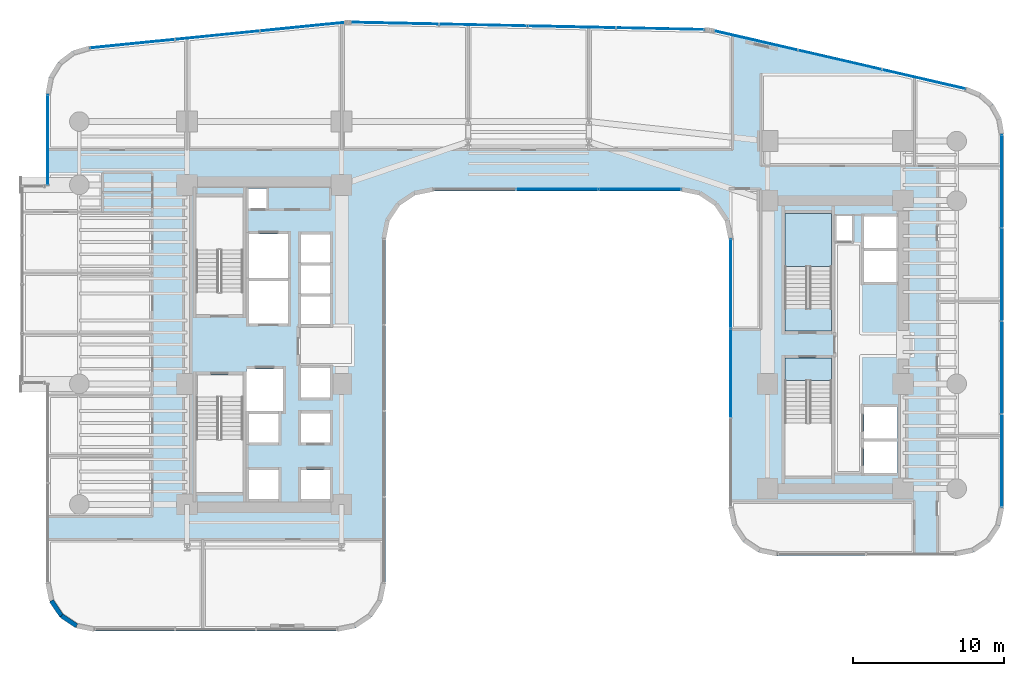
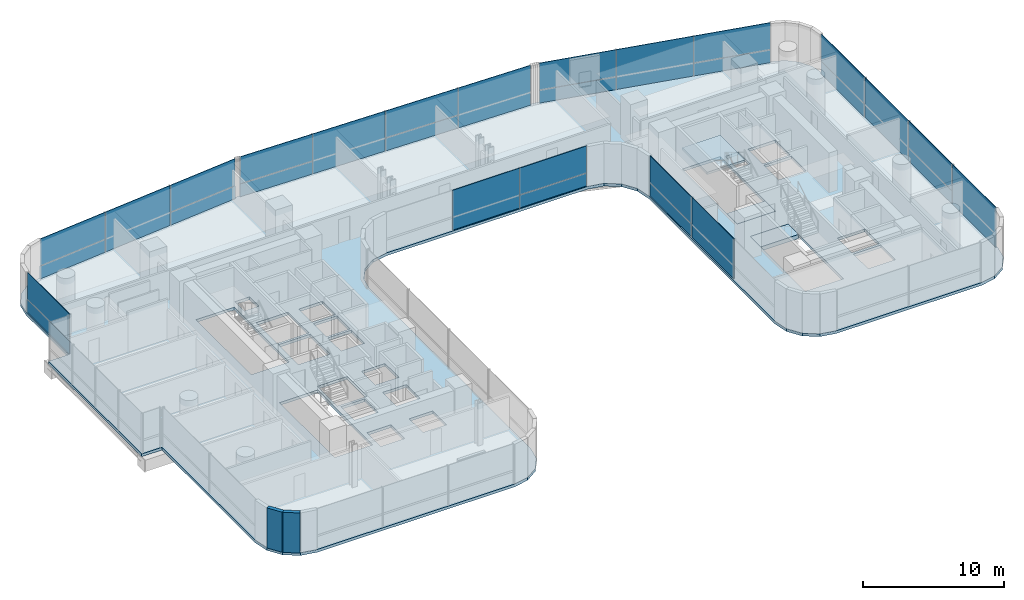
# One storey, part 28 of 38: 30 plates, 4 slabs, 2 walls, 8 elements without a shape of their own.
"""IFC4 building model written with IfcOpenShell, lengths in metres."""

from ifc_helpers import new_model, si_unit, direction, frame, frame_2d, origin, origin_2d, place, context, subcontext, project, spatial, polyline, rectangle, outline, extrude, source, transform, mapped, material, layer, layer_set, type_object, element, aggregate, save


model = new_model("IFC4")

# Units and contexts
model_context = context("Model", 3, precision=1e-05, world=origin(), true_north=direction((0.0, 1.0)))
body_context = subcontext(model_context, "Body", "Model", "MODEL_VIEW")
ifc_project = project(units=[si_unit("LENGTHUNIT", "METRE"), si_unit("AREAUNIT", "SQUARE_METRE"), si_unit("VOLUMEUNIT", "CUBIC_METRE"), si_unit("PLANEANGLEUNIT", "RADIAN"), si_unit("MASSUNIT", "GRAM", prefix="KILO")], contexts=[model_context])

# Site, building, storey
site_placement = place(None, origin())
site = spatial("IfcSite", under=ifc_project, at=site_placement, CompositionType="ELEMENT")
building_placement = place(site_placement, origin())
building = spatial("IfcBuilding", under=site, at=building_placement, Name="Valdorenza Pilgrim Sanctuary Tower", CompositionType="ELEMENT")
storey_placement = place(building_placement, frame((0.0, 0.0, 37.10009765625)))
storey = spatial("IfcBuildingStorey", under=building, at=storey_placement, Name="L08", CompositionType="ELEMENT", Elevation=37.10009765625)

# Slab
ifc_material_1 = material(Name="Concrete C40/50", Category="concrete")
ifc_layer_1 = layer(ifc_material_1, 0.239990234375, Name="Concrete C40/50")
ifc_layer_set_1 = layer_set([ifc_layer_1], Name="Concrete C40/50")
slab_type_1 = type_object("IfcSlabType", Name="SLAB-FLR-220", PredefinedType="FLOOR", material=ifc_layer_set_1)
slab_1_placement = place(storey_placement, frame((0.0, 0.0, -0.239990234375)))
element("IfcSlab", 1, at=slab_1_placement, inside=storey, type_object=slab_type_1, Name="L08 Structural Floor Slab 1", PredefinedType="FLOOR", context=body_context, shape_type="SweptSolid", body=[
    extrude(outline(polyline([(-31.785888671875, 17.754638671875), (-31.172607421875, 18.751220703125), (-30.241943359375, 19.460693359375), (-29.118408203125, 19.7880859375), (-12.192138671875, 21.480712890625), (-11.999755859375, 21.494140625), (-11.9033203125, 21.49658203125), (11.66943359375, 21.0068359375), (11.833984375, 20.999267578125), (11.997802734375, 20.983154296875), (12.160888671875, 20.95849609375), (12.322265625, 20.925537109375), (29.01953125, 17.072509765625), (30.00732421875, 16.660888671875), (30.80419921875, 15.946533203125), (31.321044921875, 15.009521484375), (31.5, 13.954345703125), (31.5, -10.800048828125), (31.25634765625, -12.024658203125), (30.562744140625, -13.062744140625), (29.524658203125, -13.75634765625), (28.300048828125, -14.0), (16.5, -14.0), (15.275390625, -13.75634765625), (14.2373046875, -13.062744140625), (13.543701171875, -12.024658203125), (13.300048828125, -10.800048828125), (13.300048828125, 7.0), (13.056396484375, 8.224609375), (12.36279296875, 9.2626953125), (11.32470703125, 9.956298828125), (10.10009765625, 10.199951171875), (-6.300048828125, 10.199951171875), (-7.524658203125, 9.956298828125), (-8.562744140625, 9.2626953125), (-9.25634765625, 8.224609375), (-9.5, 7.0), (-9.5, -15.800048828125), (-9.74365234375, -17.024658203125), (-10.437255859375, -18.062744140625), (-11.475341796875, -18.75634765625), (-12.699951171875, -19.0), (-28.800048828125, -19.0), (-30.024658203125, -18.75634765625), (-31.062744140625, -18.062744140625), (-31.75634765625, -17.024658203125), (-32.0, -15.800048828125), (-32.0, -2.60009765625), (-33.64990234375, -2.60009765625), (-33.64990234375, 10.60009765625), (-32.0, 10.60009765625), (-32.0, 16.60400390625), (-31.785888671875, 17.754638671875)]), holes=[polyline([(-16.60009765625, -10.25), (-16.60009765625, -8.300048828125), (-18.550048828125, -8.300048828125), (-18.550048828125, -10.25), (-16.60009765625, -10.25)]), polyline([(-22.050048828125, -9.800048828125), (-18.93994140625, -9.800048828125), (-18.93994140625, -3.485107421875), (-18.93994140625, -2.0), (-22.050048828125, -2.0), (-22.050048828125, -3.485107421875), (-22.050048828125, -9.800048828125)]), polyline([(-18.550048828125, -6.5), (-16.60009765625, -6.5), (-16.60009765625, -4.60009765625), (-18.550048828125, -4.60009765625), (-18.550048828125, -6.5)]), polyline([(-13.179931640625, -6.5), (-13.179931640625, -4.550048828125), (-15.10009765625, -4.550048828125), (-15.10009765625, -6.5), (-13.179931640625, -6.5)]), polyline([(-18.719970703125, -4.39990234375), (-16.300048828125, -4.39990234375), (-16.300048828125, -1.60009765625), (-18.719970703125, -1.60009765625), (-18.719970703125, -4.39990234375)]), polyline([(-13.179931640625, -3.5), (-13.179931640625, -1.550048828125), (-15.10009765625, -1.550048828125), (-15.10009765625, -3.5), (-13.179931640625, -3.5)]), polyline([(-22.050048828125, 2.0), (-18.93994140625, 2.0), (-18.93994140625, 3.485107421875), (-18.93994140625, 9.800048828125), (-22.050048828125, 9.800048828125), (-22.050048828125, 3.485107421875), (-22.050048828125, 2.0)]), polyline([(-18.550048828125, 1.39990234375), (-15.949951171875, 1.39990234375), (-15.949951171875, 4.22509765625), (-18.550048828125, 4.22509765625), (-18.550048828125, 1.39990234375)]), polyline([(-15.949951171875, 4.425048828125), (-15.949951171875, 7.35009765625), (-18.550048828125, 7.35009765625), (-18.550048828125, 4.425048828125), (-15.949951171875, 4.425048828125)]), polyline([(-15.10009765625, 5.449951171875), (-13.179931640625, 5.449951171875), (-13.179931640625, 7.300048828125), (-15.10009765625, 7.300048828125), (-15.10009765625, 5.449951171875)]), polyline([(-17.360107421875, 9.030029296875), (-17.360107421875, 10.35009765625), (-18.570068359375, 10.35009765625), (-18.570068359375, 9.030029296875), (-17.360107421875, 9.030029296875)]), polyline([(-15.10009765625, -10.25), (-13.179931640625, -10.25), (-13.179931640625, -8.300048828125), (-15.10009765625, -8.300048828125), (-15.10009765625, -10.25)]), polyline([(22.25, -8.5), (24.47998046875, -8.5), (24.47998046875, -6.425048828125), (22.25, -6.425048828125), (22.25, -8.5)]), polyline([(17.0, -2.385009765625), (17.0, -8.699951171875), (20.110107421875, -8.699951171875), (20.110107421875, -2.385009765625), (20.110107421875, -0.89990234375), (17.0, -0.89990234375), (17.0, -2.385009765625)]), polyline([(22.25, -6.22509765625), (24.47998046875, -6.22509765625), (24.47998046875, -4.14990234375), (22.25, -4.14990234375), (22.25, -6.22509765625)]), polyline([(17.0, 0.89990234375), (20.110107421875, 0.89990234375), (20.110107421875, 2.385009765625), (20.110107421875, 8.699951171875), (17.0, 8.699951171875), (17.0, 2.385009765625), (17.0, 0.89990234375)]), polyline([(-15.10009765625, 1.35009765625), (-13.179931640625, 1.35009765625), (-13.179931640625, 3.199951171875), (-15.10009765625, 3.199951171875), (-15.10009765625, 1.35009765625)]), polyline([(-15.10009765625, 3.39990234375), (-13.179931640625, 3.39990234375), (-13.179931640625, 5.25), (-15.10009765625, 5.25), (-15.10009765625, 3.39990234375)]), polyline([(22.25, 4.14990234375), (24.47998046875, 4.14990234375), (24.47998046875, 6.22509765625), (22.25, 6.22509765625), (22.25, 4.14990234375)]), polyline([(22.25, 6.425048828125), (24.47998046875, 6.425048828125), (24.47998046875, 8.5), (22.25, 8.5), (22.25, 6.425048828125)]), polyline([(20.409912109375, 6.860107421875), (21.489990234375, 6.860107421875), (21.489990234375, 8.52001953125), (20.409912109375, 8.52001953125), (20.409912109375, 6.860107421875)])]), origin(), (0.0, 0.0, 1.0), 0.239990234375),
])

# Stair, slab
stair_type = type_object("IfcStairType", Name="STR-DOG-CORE", PredefinedType="HALF_TURN_STAIR", material=ifc_material_1)
stair_placement = place(storey_placement, origin())
stair = element("IfcStair", 2, at=stair_placement, inside=storey, type_object=stair_type, Name="L08 ST-B1", PredefinedType="HALF_TURN_STAIR")
ifc_layer_2 = layer(ifc_material_1, 0.199951171875, Name="Concrete C40/50")
ifc_layer_set_2 = layer_set([ifc_layer_2], Name="Concrete C40/50")
slab_type_2 = type_object("IfcSlabType", Name="SLAB-STL-200", PredefinedType="LANDING", material=ifc_layer_set_2)
slab_2_placement = place(storey_placement, frame((0.0, 0.0, 1.64990234375)))
slab_2 = element("IfcSlab", 3, at=slab_2_placement, type_object=slab_type_2, Name="ST-B1 landing 1", PredefinedType="LANDING", context=body_context, shape_type="SweptSolid", body=[
    extrude(outline(polyline([(20.110107421875, 5.179931640625), (20.110107421875, 8.699951171875), (17.0, 8.699951171875), (17.0, 5.179931640625), (20.110107421875, 5.179931640625)])), origin(), (0.0, 0.0, 1.0), 0.199951171875),
])
aggregate(stair, [slab_2])

# Slabs
ifc_material_2 = material(Name="Concrete C50/60", Category="concrete")
ifc_layer_3 = layer(ifc_material_2, 0.39990234375, Name="Concrete C50/60")
ifc_layer_set_3 = layer_set([ifc_layer_3], Name="Concrete C50/60")
slab_type_3 = type_object("IfcSlabType", Name="SLAB-TRF-400", PredefinedType="FLOOR", material=ifc_layer_set_3)
slab_3_placement = place(storey_placement, frame((0.0, 0.0, -0.360107421875)))
element("IfcSlab", 4, at=slab_3_placement, inside=storey, type_object=slab_type_3, Name="L08 ST-B1 Structural Stair Landing Bearing Slab", PredefinedType="FLOOR", context=body_context, shape_type="SweptSolid", body=[
    extrude(outline(polyline([(17.0, 0.89990234375), (20.110107421875, 0.89990234375), (20.110107421875, 2.385009765625), (17.0, 2.385009765625), (17.0, 0.89990234375)])), origin(), (0.0, 0.0, 1.0), 0.360107421875),
])
slab_4_placement = place(storey_placement, frame((0.0, 0.0, -0.360107421875)))
element("IfcSlab", 5, at=slab_4_placement, inside=storey, type_object=slab_type_3, Name="L08 ST-B2 Structural Stair Landing Bearing Slab", PredefinedType="FLOOR", context=body_context, shape_type="SweptSolid", body=[
    extrude(outline(polyline([(17.0, -2.385009765625), (20.110107421875, -2.385009765625), (20.110107421875, -0.89990234375), (17.0, -0.89990234375), (17.0, -2.385009765625)])), origin(), (0.0, 0.0, 1.0), 0.360107421875),
])

# Curtain wall, plates
ifc_material_3 = material(Name="Curtain-wall IGU glazing", Category="glass")
curtain_wall_type_1 = type_object("IfcCurtainWallType", Name="CW-SYS-02", PredefinedType="NOTDEFINED", material=ifc_material_3)
curtain_wall_1_placement = place(storey_placement, origin())
curtain_wall_1 = element("IfcCurtainWall", 6, at=curtain_wall_1_placement, inside=storey, type_object=curtain_wall_type_1, Name="L08 Curtain Wall CW-L08-1-6", PredefinedType="NOTDEFINED")
ifc_material_4 = material(Name="Honed travertine limestone", Category="masonry")
ifc_layer_4 = layer(ifc_material_4, 0.050048828125, Name="Honed travertine limestone")
ifc_layer_set_4 = layer_set([ifc_layer_4], Name="Honed travertine limestone")
plate_type_1 = type_object("IfcPlateType", Name="CW-SPN-TRV", PredefinedType="USERDEFINED", material=ifc_layer_set_4)
shared_shape_1 = source(origin(), body_context, "Body", "SweptSolid", [
    extrude(rectangle(XDim=5.646484375, YDim=0.06005859375, at=origin_2d()), origin(), (0.0, 0.0, 1.0), 1.10009765625),
])
plate_1_placement = place(storey_placement, frame((-26.2783203125, 19.961669921875, 0.009765625), z_axis=(0.0, 0.0, 1.0), x_axis=(0.995038220239, 0.099493418189, 0.0)))
plate_1 = element("IfcPlate", 7, at=plate_1_placement, type_object=plate_type_1, Name="CW-L08-1-6 Travertine Spandrel 1", ObjectType="SPANDREL", PredefinedType="USERDEFINED", context=body_context, shape_type="MappedRepresentation", body=[
    mapped(shared_shape_1, transform((0.0, 0.0, 0.0), x_axis=(1.0, 0.0, 0.0), y_axis=(0.0, 1.0, 0.0), z_axis=(0.0, 0.0, 1.0), scale=1.0)),
])
plate_2_placement = place(storey_placement, frame((-15.001220703125, 21.08935546875, 0.009765625), z_axis=(0.0, 0.0, 1.0), x_axis=(0.995038220239, 0.099493418189, 0.0)))
plate_2 = element("IfcPlate", 8, at=plate_2_placement, type_object=plate_type_1, Name="CW-L08-1-6 Travertine Spandrel 3", ObjectType="SPANDREL", PredefinedType="USERDEFINED", context=body_context, shape_type="MappedRepresentation", body=[
    mapped(shared_shape_1, transform((0.0, 0.0, 0.0), x_axis=(1.0, 0.0, 0.0), y_axis=(0.0, 1.0, 0.0), z_axis=(0.0, 0.0, 1.0), scale=1.0)),
])
ifc_material_5 = material(Name="Ceramic-fritted low-E IGU glazing", Category="glass")
ifc_layer_5 = layer(ifc_material_5, 0.035888671875, Name="Ceramic-fritted low-E IGU glazing")
ifc_layer_set_5 = layer_set([ifc_layer_5], Name="Ceramic-fritted low-E IGU glazing")
plate_type_2 = type_object("IfcPlateType", Name="CW-GLZ-IGU", PredefinedType="USERDEFINED", material=ifc_layer_set_5)
shared_shape_2 = source(origin(), body_context, "Body", "SweptSolid", [
    extrude(rectangle(XDim=5.646484375, YDim=0.050048828125, at=origin_2d()), origin(), (0.0, 0.0, 1.0), 2.320068359375),
])
plate_3_placement = place(storey_placement, frame((-26.2783203125, 19.961669921875, 1.1298828125), z_axis=(0.0, 0.0, 1.0), x_axis=(0.995038220239, 0.099493418189, 0.0)))
plate_3 = element("IfcPlate", 9, at=plate_3_placement, type_object=plate_type_2, Name="CW-L08-1-6 Facade Panel 1", ObjectType="GLAZING", PredefinedType="USERDEFINED", context=body_context, shape_type="MappedRepresentation", body=[
    mapped(shared_shape_2, transform((0.0, 0.0, 0.0), x_axis=(1.0, 0.0, 0.0), y_axis=(0.0, 1.0, 0.0), z_axis=(0.0, 0.0, 1.0), scale=1.0)),
])
plate_4_placement = place(storey_placement, frame((-15.001220703125, 21.08935546875, 1.1298828125), z_axis=(0.0, 0.0, 1.0), x_axis=(0.995038220239, 0.099493418189, 0.0)))
plate_4 = element("IfcPlate", 10, at=plate_4_placement, type_object=plate_type_2, Name="CW-L08-1-6 Facade Panel 3", ObjectType="GLAZING", PredefinedType="USERDEFINED", context=body_context, shape_type="MappedRepresentation", body=[
    mapped(shared_shape_2, transform((0.0, 0.0, 0.0), x_axis=(1.0, 0.0, 0.0), y_axis=(0.0, 1.0, 0.0), z_axis=(0.0, 0.0, 1.0), scale=1.0)),
])
shared_shape_3 = source(origin(), body_context, "Body", "SweptSolid", [
    extrude(rectangle(XDim=5.646484375, YDim=0.050048828125, at=origin_2d()), origin(), (0.0, 0.0, 1.0), 3.43994140625),
])
plate_5_placement = place(storey_placement, frame((-20.6396484375, 20.525634765625, 0.010009765625), z_axis=(0.0, 0.0, 1.0), x_axis=(0.995038220239, 0.099493418189, 0.0)))
plate_5 = element("IfcPlate", 11, at=plate_5_placement, type_object=plate_type_2, Name="CW-L08-1-6 Full-Height Facade Panel 2", ObjectType="GLAZING", PredefinedType="USERDEFINED", context=body_context, shape_type="MappedRepresentation", body=[
    mapped(shared_shape_3, transform((0.0, 0.0, 0.0), x_axis=(1.0, 0.0, 0.0), y_axis=(0.0, 1.0, 0.0), z_axis=(0.0, 0.0, 1.0), scale=1.0)),
])
aggregate(curtain_wall_1, [plate_1, plate_3, plate_5, plate_2, plate_4])

curtain_wall_2_placement = place(storey_placement, origin())
curtain_wall_2 = element("IfcCurtainWall", 12, at=curtain_wall_2_placement, inside=storey, type_object=curtain_wall_type_1, Name="L08 Curtain Wall CW-L08-1-11", PredefinedType="NOTDEFINED")
shared_shape_4 = source(origin(), body_context, "Body", "SweptSolid", [
    extrude(rectangle(XDim=5.849853515625, YDim=0.06005859375, at=origin_2d()), origin(), (0.0, 0.0, 1.0), 1.10009765625),
])
plate_6_placement = place(storey_placement, frame((-8.8740234375, 21.324951171875, 0.009765625), z_axis=(0.0, 0.0, 1.0), x_axis=(0.999783234613, -0.020820273474, 0.0)))
plate_6 = element("IfcPlate", 13, at=plate_6_placement, type_object=plate_type_1, Name="CW-L08-1-11 Travertine Spandrel 1", ObjectType="SPANDREL", PredefinedType="USERDEFINED", context=body_context, shape_type="MappedRepresentation", body=[
    mapped(shared_shape_4, transform((0.0, 0.0, 0.0), x_axis=(1.0, 0.0, 0.0), y_axis=(0.0, 1.0, 0.0), z_axis=(0.0, 0.0, 1.0), scale=1.0)),
])
plate_7_placement = place(storey_placement, frame((2.86279296875, 21.080322265625, 0.009765625), z_axis=(0.0, 0.0, 1.0), x_axis=(0.999783234613, -0.020820273474, 0.0)))
plate_7 = element("IfcPlate", 14, at=plate_7_placement, type_object=plate_type_1, Name="CW-L08-1-11 Travertine Spandrel 3", ObjectType="SPANDREL", PredefinedType="USERDEFINED", context=body_context, shape_type="MappedRepresentation", body=[
    mapped(shared_shape_4, transform((0.0, 0.0, 0.0), x_axis=(1.0, 0.0, 0.0), y_axis=(0.0, 1.0, 0.0), z_axis=(0.0, 0.0, 1.0), scale=1.0)),
])
shared_shape_5 = source(origin(), body_context, "Body", "SweptSolid", [
    extrude(rectangle(XDim=5.849853515625, YDim=0.050048828125, at=origin_2d()), origin(), (0.0, 0.0, 1.0), 2.320068359375),
])
plate_8_placement = place(storey_placement, frame((-8.8740234375, 21.324951171875, 1.1298828125), z_axis=(0.0, 0.0, 1.0), x_axis=(0.999783234613, -0.020820273474, 0.0)))
plate_8 = element("IfcPlate", 15, at=plate_8_placement, type_object=plate_type_2, Name="CW-L08-1-11 Facade Panel 1", ObjectType="GLAZING", PredefinedType="USERDEFINED", context=body_context, shape_type="MappedRepresentation", body=[
    mapped(shared_shape_5, transform((0.0, 0.0, 0.0), x_axis=(1.0, 0.0, 0.0), y_axis=(0.0, 1.0, 0.0), z_axis=(0.0, 0.0, 1.0), scale=1.0)),
])
plate_9_placement = place(storey_placement, frame((2.86279296875, 21.080322265625, 1.1298828125), z_axis=(0.0, 0.0, 1.0), x_axis=(0.999783234613, -0.020820273474, 0.0)))
plate_9 = element("IfcPlate", 16, at=plate_9_placement, type_object=plate_type_2, Name="CW-L08-1-11 Facade Panel 3", ObjectType="GLAZING", PredefinedType="USERDEFINED", context=body_context, shape_type="MappedRepresentation", body=[
    mapped(shared_shape_5, transform((0.0, 0.0, 0.0), x_axis=(1.0, 0.0, 0.0), y_axis=(0.0, 1.0, 0.0), z_axis=(0.0, 0.0, 1.0), scale=1.0)),
])
shared_shape_6 = source(origin(), body_context, "Body", "SweptSolid", [
    extrude(rectangle(XDim=5.849853515625, YDim=0.050048828125, at=origin_2d()), origin(), (0.0, 0.0, 1.0), 3.43994140625),
])
plate_10_placement = place(storey_placement, frame((-3.005615234375, 21.20263671875, 0.010009765625), z_axis=(0.0, 0.0, 1.0), x_axis=(0.999783234613, -0.020820273474, 0.0)))
plate_10 = element("IfcPlate", 17, at=plate_10_placement, type_object=plate_type_2, Name="CW-L08-1-11 Full-Height Facade Panel 2", ObjectType="GLAZING", PredefinedType="USERDEFINED", context=body_context, shape_type="MappedRepresentation", body=[
    mapped(shared_shape_6, transform((0.0, 0.0, 0.0), x_axis=(1.0, 0.0, 0.0), y_axis=(0.0, 1.0, 0.0), z_axis=(0.0, 0.0, 1.0), scale=1.0)),
])
plate_11_placement = place(storey_placement, frame((8.7314453125, 20.9580078125, 0.010009765625), z_axis=(0.0, 0.0, 1.0), x_axis=(0.999783234613, -0.020820273474, 0.0)))
plate_11 = element("IfcPlate", 18, at=plate_11_placement, type_object=plate_type_2, Name="CW-L08-1-11 Full-Height Facade Panel 4", ObjectType="GLAZING", PredefinedType="USERDEFINED", context=body_context, shape_type="MappedRepresentation", body=[
    mapped(shared_shape_6, transform((0.0, 0.0, 0.0), x_axis=(1.0, 0.0, 0.0), y_axis=(0.0, 1.0, 0.0), z_axis=(0.0, 0.0, 1.0), scale=1.0)),
])
aggregate(curtain_wall_2, [plate_6, plate_8, plate_10, plate_7, plate_9, plate_11])

curtain_wall_type_2 = type_object("IfcCurtainWallType", Name="CW-SYS-03", PredefinedType="NOTDEFINED", material=ifc_material_3)
curtain_wall_3_placement = place(storey_placement, origin())
curtain_wall_3 = element("IfcCurtainWall", 19, at=curtain_wall_3_placement, inside=storey, type_object=curtain_wall_type_2, Name="L08 Curtain Wall CW-L08-1-16", PredefinedType="NOTDEFINED")
shared_shape_7 = source(origin(), body_context, "Body", "SweptSolid", [
    extrude(rectangle(XDim=5.6884765625, YDim=0.06005859375, at=origin_2d()), origin(), (0.0, 0.0, 1.0), 1.10009765625),
])
plate_12_placement = place(storey_placement, frame((15.080078125, 20.17626953125, 0.009765625), z_axis=(0.0, 0.0, 1.0), x_axis=(0.974389691758, -0.224866023659, 0.0)))
plate_12 = element("IfcPlate", 20, at=plate_12_placement, type_object=plate_type_1, Name="CW-L08-1-16 Travertine Spandrel 1", ObjectType="SPANDREL", PredefinedType="USERDEFINED", context=body_context, shape_type="MappedRepresentation", body=[
    mapped(shared_shape_7, transform((0.0, 0.0, 0.0), x_axis=(1.0, 0.0, 0.0), y_axis=(0.0, 1.0, 0.0), z_axis=(0.0, 0.0, 1.0), scale=1.0)),
])
plate_13_placement = place(storey_placement, frame((26.20458984375, 17.609130859375, 0.009765625), z_axis=(0.0, 0.0, 1.0), x_axis=(0.974389691758, -0.224866023659, 0.0)))
plate_13 = element("IfcPlate", 21, at=plate_13_placement, type_object=plate_type_1, Name="CW-L08-1-16 Travertine Spandrel 3", ObjectType="SPANDREL", PredefinedType="USERDEFINED", context=body_context, shape_type="MappedRepresentation", body=[
    mapped(shared_shape_7, transform((0.0, 0.0, 0.0), x_axis=(1.0, 0.0, 0.0), y_axis=(0.0, 1.0, 0.0), z_axis=(0.0, 0.0, 1.0), scale=1.0)),
])
shared_shape_8 = source(origin(), body_context, "Body", "SweptSolid", [
    extrude(rectangle(XDim=5.6884765625, YDim=0.050048828125, at=origin_2d()), origin(), (0.0, 0.0, 1.0), 2.320068359375),
])
plate_14_placement = place(storey_placement, frame((15.080078125, 20.17626953125, 1.1298828125), z_axis=(0.0, 0.0, 1.0), x_axis=(0.974389691758, -0.224866023659, 0.0)))
plate_14 = element("IfcPlate", 22, at=plate_14_placement, type_object=plate_type_2, Name="CW-L08-1-16 Facade Panel 1", ObjectType="GLAZING", PredefinedType="USERDEFINED", context=body_context, shape_type="MappedRepresentation", body=[
    mapped(shared_shape_8, transform((0.0, 0.0, 0.0), x_axis=(1.0, 0.0, 0.0), y_axis=(0.0, 1.0, 0.0), z_axis=(0.0, 0.0, 1.0), scale=1.0)),
])
plate_15_placement = place(storey_placement, frame((26.20458984375, 17.609130859375, 1.1298828125), z_axis=(0.0, 0.0, 1.0), x_axis=(0.974389691758, -0.224866023659, 0.0)))
plate_15 = element("IfcPlate", 23, at=plate_15_placement, type_object=plate_type_2, Name="CW-L08-1-16 Facade Panel 3", ObjectType="GLAZING", PredefinedType="USERDEFINED", context=body_context, shape_type="MappedRepresentation", body=[
    mapped(shared_shape_8, transform((0.0, 0.0, 0.0), x_axis=(1.0, 0.0, 0.0), y_axis=(0.0, 1.0, 0.0), z_axis=(0.0, 0.0, 1.0), scale=1.0)),
])
shared_shape_9 = source(origin(), body_context, "Body", "SweptSolid", [
    extrude(rectangle(XDim=5.6884765625, YDim=0.050048828125, at=origin_2d()), origin(), (0.0, 0.0, 1.0), 3.43994140625),
])
plate_16_placement = place(storey_placement, frame((20.642333984375, 18.892578125, 0.010009765625), z_axis=(0.0, 0.0, 1.0), x_axis=(0.974389691758, -0.224866023659, 0.0)))
plate_16 = element("IfcPlate", 24, at=plate_16_placement, type_object=plate_type_2, Name="CW-L08-1-16 Full-Height Facade Panel 2", ObjectType="GLAZING", PredefinedType="USERDEFINED", context=body_context, shape_type="MappedRepresentation", body=[
    mapped(shared_shape_9, transform((0.0, 0.0, 0.0), x_axis=(1.0, 0.0, 0.0), y_axis=(0.0, 1.0, 0.0), z_axis=(0.0, 0.0, 1.0), scale=1.0)),
])
aggregate(curtain_wall_3, [plate_12, plate_14, plate_16, plate_13, plate_15])

curtain_wall_4_placement = place(storey_placement, origin())
curtain_wall_4 = element("IfcCurtainWall", 25, at=curtain_wall_4_placement, inside=storey, type_object=curtain_wall_type_2, Name="L08 Curtain Wall CW-L08-1-21", PredefinedType="NOTDEFINED")
shared_shape_10 = source(origin(), body_context, "Body", "SweptSolid", [
    extrude(rectangle(XDim=6.16357421875, YDim=0.06005859375, at=origin_2d()), origin(), (0.0, 0.0, 1.0), 1.10009765625),
])
plate_17_placement = place(storey_placement, frame((31.389892578125, 10.853271484375, 0.009765625), z_axis=(0.0, 0.0, 1.0), x_axis=(0.0, -1.0, 0.0)))
plate_17 = element("IfcPlate", 26, at=plate_17_placement, type_object=plate_type_1, Name="CW-L08-1-21 Travertine Spandrel 1", ObjectType="SPANDREL", PredefinedType="USERDEFINED", context=body_context, shape_type="MappedRepresentation", body=[
    mapped(shared_shape_10, transform((0.0, 0.0, 0.0), x_axis=(1.0, 0.0, 0.0), y_axis=(0.0, 1.0, 0.0), z_axis=(0.0, 0.0, 1.0), scale=1.0)),
])
plate_18_placement = place(storey_placement, frame((31.389892578125, -1.513916015625, 0.009765625), z_axis=(0.0, 0.0, 1.0), x_axis=(0.0, -1.0, 0.0)))
plate_18 = element("IfcPlate", 27, at=plate_18_placement, type_object=plate_type_1, Name="CW-L08-1-21 Travertine Spandrel 3", ObjectType="SPANDREL", PredefinedType="USERDEFINED", context=body_context, shape_type="MappedRepresentation", body=[
    mapped(shared_shape_10, transform((0.0, 0.0, 0.0), x_axis=(1.0, 0.0, 0.0), y_axis=(0.0, 1.0, 0.0), z_axis=(0.0, 0.0, 1.0), scale=1.0)),
])
shared_shape_11 = source(origin(), body_context, "Body", "SweptSolid", [
    extrude(rectangle(XDim=6.16357421875, YDim=0.050048828125, at=origin_2d()), origin(), (0.0, 0.0, 1.0), 2.320068359375),
])
plate_19_placement = place(storey_placement, frame((31.389892578125, 10.853271484375, 1.1298828125), z_axis=(0.0, 0.0, 1.0), x_axis=(0.0, -1.0, 0.0)))
plate_19 = element("IfcPlate", 28, at=plate_19_placement, type_object=plate_type_2, Name="CW-L08-1-21 Facade Panel 1", ObjectType="GLAZING", PredefinedType="USERDEFINED", context=body_context, shape_type="MappedRepresentation", body=[
    mapped(shared_shape_11, transform((0.0, 0.0, 0.0), x_axis=(1.0, 0.0, 0.0), y_axis=(0.0, 1.0, 0.0), z_axis=(0.0, 0.0, 1.0), scale=1.0)),
])
plate_20_placement = place(storey_placement, frame((31.389892578125, -1.513916015625, 1.1298828125), z_axis=(0.0, 0.0, 1.0), x_axis=(0.0, -1.0, 0.0)))
plate_20 = element("IfcPlate", 29, at=plate_20_placement, type_object=plate_type_2, Name="CW-L08-1-21 Facade Panel 3", ObjectType="GLAZING", PredefinedType="USERDEFINED", context=body_context, shape_type="MappedRepresentation", body=[
    mapped(shared_shape_11, transform((0.0, 0.0, 0.0), x_axis=(1.0, 0.0, 0.0), y_axis=(0.0, 1.0, 0.0), z_axis=(0.0, 0.0, 1.0), scale=1.0)),
])
shared_shape_12 = source(origin(), body_context, "Body", "SweptSolid", [
    extrude(rectangle(XDim=6.16357421875, YDim=0.050048828125, at=origin_2d()), origin(), (0.0, 0.0, 1.0), 3.43994140625),
])
plate_21_placement = place(storey_placement, frame((31.389892578125, 4.669677734375, 0.010009765625), z_axis=(0.0, 0.0, 1.0), x_axis=(0.0, -1.0, 0.0)))
plate_21 = element("IfcPlate", 30, at=plate_21_placement, type_object=plate_type_2, Name="CW-L08-1-21 Full-Height Facade Panel 2", ObjectType="GLAZING", PredefinedType="USERDEFINED", context=body_context, shape_type="MappedRepresentation", body=[
    mapped(shared_shape_12, transform((0.0, 0.0, 0.0), x_axis=(1.0, 0.0, 0.0), y_axis=(0.0, 1.0, 0.0), z_axis=(0.0, 0.0, 1.0), scale=1.0)),
])
plate_22_placement = place(storey_placement, frame((31.389892578125, -7.697509765625, 0.010009765625), z_axis=(0.0, 0.0, 1.0), x_axis=(0.0, -1.0, 0.0)))
plate_22 = element("IfcPlate", 31, at=plate_22_placement, type_object=plate_type_2, Name="CW-L08-1-21 Full-Height Facade Panel 4", ObjectType="GLAZING", PredefinedType="USERDEFINED", context=body_context, shape_type="MappedRepresentation", body=[
    mapped(shared_shape_12, transform((0.0, 0.0, 0.0), x_axis=(1.0, 0.0, 0.0), y_axis=(0.0, 1.0, 0.0), z_axis=(0.0, 0.0, 1.0), scale=1.0)),
])
aggregate(curtain_wall_4, [plate_17, plate_19, plate_21, plate_18, plate_20, plate_22])

curtain_wall_5_placement = place(storey_placement, origin())
curtain_wall_5 = element("IfcCurtainWall", 32, at=curtain_wall_5_placement, inside=storey, type_object=curtain_wall_type_2, Name="L08 Curtain Wall CW-L08-1-31", PredefinedType="NOTDEFINED")
shared_shape_13 = source(origin(), body_context, "Body", "SweptSolid", [
    extrude(rectangle(XDim=5.913330078125, YDim=0.06005859375, at=origin_2d()), origin(), (0.0, 0.0, 1.0), 1.10009765625),
])
plate_23_placement = place(storey_placement, frame((13.409912109375, 4.044189453125, 0.009765625), z_axis=(0.0, 0.0, 1.0), x_axis=(0.0, 1.0, 0.0)))
plate_23 = element("IfcPlate", 33, at=plate_23_placement, type_object=plate_type_1, Name="CW-L08-1-31 Travertine Spandrel 3", ObjectType="SPANDREL", PredefinedType="USERDEFINED", context=body_context, shape_type="MappedRepresentation", body=[
    mapped(shared_shape_13, transform((0.0, 0.0, 0.0), x_axis=(1.0, 0.0, 0.0), y_axis=(0.0, 1.0, 0.0), z_axis=(0.0, 0.0, 1.0), scale=1.0)),
])
shared_shape_14 = source(origin(), body_context, "Body", "SweptSolid", [
    extrude(rectangle(XDim=5.913330078125, YDim=0.050048828125, at=origin_2d()), origin(), (0.0, 0.0, 1.0), 2.320068359375),
])
plate_24_placement = place(storey_placement, frame((13.409912109375, 4.044189453125, 1.1298828125), z_axis=(0.0, 0.0, 1.0), x_axis=(0.0, 1.0, 0.0)))
plate_24 = element("IfcPlate", 34, at=plate_24_placement, type_object=plate_type_2, Name="CW-L08-1-31 Facade Panel 3", ObjectType="GLAZING", PredefinedType="USERDEFINED", context=body_context, shape_type="MappedRepresentation", body=[
    mapped(shared_shape_14, transform((0.0, 0.0, 0.0), x_axis=(1.0, 0.0, 0.0), y_axis=(0.0, 1.0, 0.0), z_axis=(0.0, 0.0, 1.0), scale=1.0)),
])
shared_shape_15 = source(origin(), body_context, "Body", "SweptSolid", [
    extrude(rectangle(XDim=5.913330078125, YDim=0.050048828125, at=origin_2d()), origin(), (0.0, 0.0, 1.0), 3.43994140625),
])
plate_25_placement = place(storey_placement, frame((13.409912109375, -1.88916015625, 0.010009765625), z_axis=(0.0, 0.0, 1.0), x_axis=(0.0, 1.0, 0.0)))
plate_25 = element("IfcPlate", 35, at=plate_25_placement, type_object=plate_type_2, Name="CW-L08-1-31 Full-Height Facade Panel 2", ObjectType="GLAZING", PredefinedType="USERDEFINED", context=body_context, shape_type="MappedRepresentation", body=[
    mapped(shared_shape_15, transform((0.0, 0.0, 0.0), x_axis=(1.0, 0.0, 0.0), y_axis=(0.0, 1.0, 0.0), z_axis=(0.0, 0.0, 1.0), scale=1.0)),
])
aggregate(curtain_wall_5, [plate_25, plate_23, plate_24])

curtain_wall_6_placement = place(storey_placement, origin())
curtain_wall_6 = element("IfcCurtainWall", 36, at=curtain_wall_6_placement, inside=storey, type_object=curtain_wall_type_1, Name="L08 Curtain Wall CW-L08-1-36", PredefinedType="NOTDEFINED")
shared_shape_16 = source(origin(), body_context, "Body", "SweptSolid", [
    extrude(rectangle(XDim=5.453857421875, YDim=0.06005859375, at=origin_2d()), origin(), (0.0, 0.0, 1.0), 1.10009765625),
])
plate_26_placement = place(storey_placement, frame((7.373779296875, 10.31005859375, 0.009765625), z_axis=(0.0, 0.0, 1.0), x_axis=(-1.0, 0.0, 0.0)))
plate_26 = element("IfcPlate", 37, at=plate_26_placement, type_object=plate_type_1, Name="CW-L08-1-36 Travertine Spandrel 1", ObjectType="SPANDREL", PredefinedType="USERDEFINED", context=body_context, shape_type="MappedRepresentation", body=[
    mapped(shared_shape_16, transform((0.0, 0.0, 0.0), x_axis=(1.0, 0.0, 0.0), y_axis=(0.0, 1.0, 0.0), z_axis=(0.0, 0.0, 1.0), scale=1.0)),
])
shared_shape_17 = source(origin(), body_context, "Body", "SweptSolid", [
    extrude(rectangle(XDim=5.453857421875, YDim=0.050048828125, at=origin_2d()), origin(), (0.0, 0.0, 1.0), 2.320068359375),
])
plate_27_placement = place(storey_placement, frame((7.373779296875, 10.31005859375, 1.1298828125), z_axis=(0.0, 0.0, 1.0), x_axis=(-1.0, 0.0, 0.0)))
plate_27 = element("IfcPlate", 38, at=plate_27_placement, type_object=plate_type_2, Name="CW-L08-1-36 Facade Panel 1", ObjectType="GLAZING", PredefinedType="USERDEFINED", context=body_context, shape_type="MappedRepresentation", body=[
    mapped(shared_shape_17, transform((0.0, 0.0, 0.0), x_axis=(1.0, 0.0, 0.0), y_axis=(0.0, 1.0, 0.0), z_axis=(0.0, 0.0, 1.0), scale=1.0)),
])
shared_shape_18 = source(origin(), body_context, "Body", "SweptSolid", [
    extrude(rectangle(XDim=5.453857421875, YDim=0.050048828125, at=origin_2d()), origin(), (0.0, 0.0, 1.0), 3.43994140625),
])
plate_28_placement = place(storey_placement, frame((1.89990234375, 10.31005859375, 0.010009765625), z_axis=(0.0, 0.0, 1.0), x_axis=(-1.0, 0.0, 0.0)))
plate_28 = element("IfcPlate", 39, at=plate_28_placement, type_object=plate_type_2, Name="CW-L08-1-36 Full-Height Facade Panel 2", ObjectType="GLAZING", PredefinedType="USERDEFINED", context=body_context, shape_type="MappedRepresentation", body=[
    mapped(shared_shape_18, transform((0.0, 0.0, 0.0), x_axis=(1.0, 0.0, 0.0), y_axis=(0.0, 1.0, 0.0), z_axis=(0.0, 0.0, 1.0), scale=1.0)),
])
aggregate(curtain_wall_6, [plate_26, plate_27, plate_28])

curtain_wall_7_placement = place(storey_placement, origin())
curtain_wall_7 = element("IfcCurtainWall", 40, at=curtain_wall_7_placement, inside=storey, type_object=curtain_wall_type_1, Name="L08 Curtain Wall CW-L08-1-1S2", PredefinedType="NOTDEFINED")
shared_shape_19 = source(origin(), body_context, "Body", "SweptSolid", [
    extrude(rectangle(XDim=5.973876953125, YDim=0.06005859375, at=origin_2d()), origin(), (0.0, 0.0, 1.0), 1.10009765625),
])
plate_29_placement = place(storey_placement, frame((-31.889892578125, 13.596923828125, 0.009765625), z_axis=(0.0, 0.0, 1.0), x_axis=(0.0, 1.0, 0.0)))
plate_29 = element("IfcPlate", 41, at=plate_29_placement, type_object=plate_type_1, Name="CW-L08-1-1S2 Travertine Spandrel 1", ObjectType="SPANDREL", PredefinedType="USERDEFINED", context=body_context, shape_type="MappedRepresentation", body=[
    mapped(shared_shape_19, transform((0.0, 0.0, 0.0), x_axis=(1.0, 0.0, 0.0), y_axis=(0.0, 1.0, 0.0), z_axis=(0.0, 0.0, 1.0), scale=1.0)),
])
shared_shape_20 = source(origin(), body_context, "Body", "SweptSolid", [
    extrude(rectangle(XDim=5.973876953125, YDim=0.050048828125, at=origin_2d()), origin(), (0.0, 0.0, 1.0), 2.320068359375),
])
plate_30_placement = place(storey_placement, frame((-31.889892578125, 13.596923828125, 1.1298828125), z_axis=(0.0, 0.0, 1.0), x_axis=(0.0, 1.0, 0.0)))
plate_30 = element("IfcPlate", 42, at=plate_30_placement, type_object=plate_type_2, Name="CW-L08-1-1S2 Facade Panel 1", ObjectType="GLAZING", PredefinedType="USERDEFINED", context=body_context, shape_type="MappedRepresentation", body=[
    mapped(shared_shape_20, transform((0.0, 0.0, 0.0), x_axis=(1.0, 0.0, 0.0), y_axis=(0.0, 1.0, 0.0), z_axis=(0.0, 0.0, 1.0), scale=1.0)),
])
aggregate(curtain_wall_7, [plate_29, plate_30])

# Walls
ifc_layer_6 = layer(ifc_material_4, 0.300048828125, Name="Honed travertine limestone")
ifc_layer_set_6 = layer_set([ifc_layer_6], Name="Honed travertine limestone")
wall_type = type_object("IfcWallType", Name="WAL-EXT-300", PredefinedType="SOLIDWALL", material=ifc_layer_set_6)
for number, where, z_axis, x_axis, name in (
    (43, (-29.981689453125, -18.65283203125, 0.0), (0.0, 0.0, 1.0), (-0.831426265255, 0.555635100982, 0.0), "L08 Rounded Wind-Corner Stone Pier 48"),
    (44, (-30.9833984375, -17.9833984375, 0.0), (0.0, 0.0, 1.0), (-0.555635100982, 0.831426265255, 0.0), "L08 Rounded Wind-Corner Stone Pier 49"),
):
    element("IfcWall", number, at=place(storey_placement, frame(where, z_axis=z_axis, x_axis=x_axis)), inside=storey, type_object=wall_type, Name=name, PredefinedType="SOLIDWALL", context=body_context, shape_type="SweptSolid", body=[
        extrude(rectangle(XDim=1.204833984375, YDim=0.300048828125, at=frame_2d((0.6025390625, 0.0))), origin(), (0.0, 0.0, 1.0), 3.4599609375),
    ])

save(model, "model.ifc")
